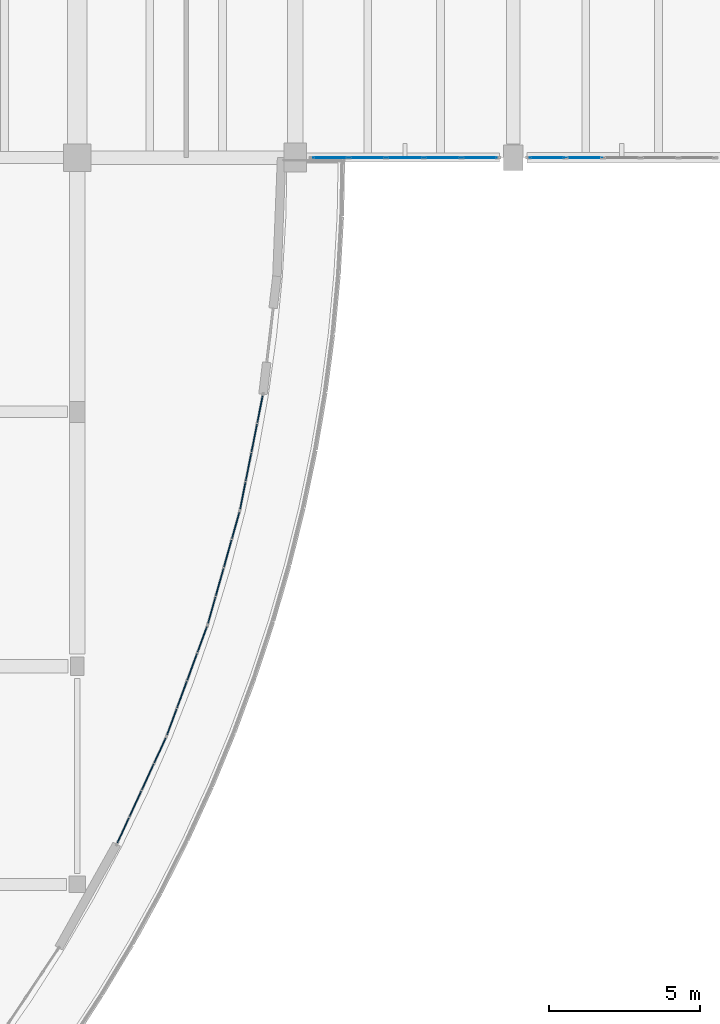
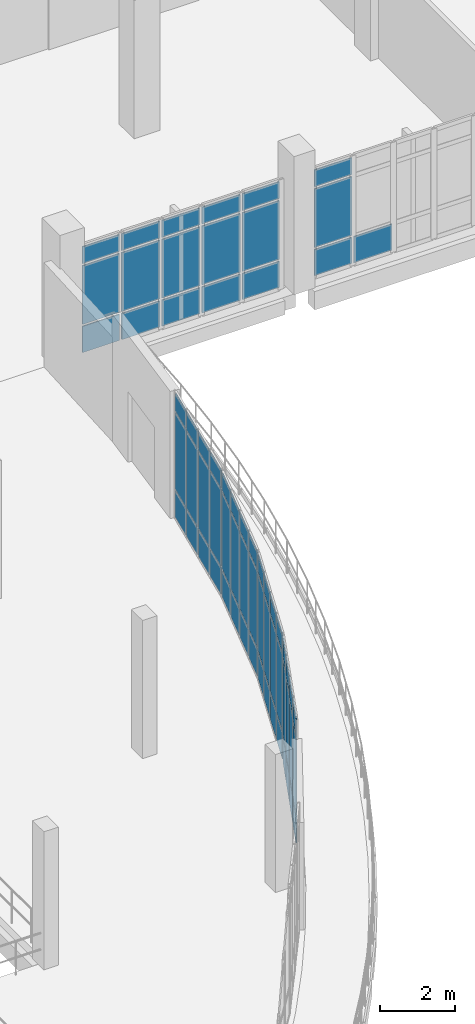
# One storey, part 104 of 134: 67 plates, 6 elements without a shape of their own.
"""IFC4 building model written with IfcOpenShell, lengths in metres."""

from ifc_helpers import new_model, si_unit, direction, frame, origin, origin_2d, place, context, subcontext, project, spatial, rectangle, extrude, material, layer, layer_set, type_object, element, aggregate, save


model = new_model("IFC4")

# Units and contexts
model_context = context("Model", 3, precision=1e-05, world=origin(), true_north=direction((0.0, 1.0)))
body_context = subcontext(model_context, "Body", "Model", "MODEL_VIEW")
ifc_project = project(units=[si_unit("LENGTHUNIT", "METRE"), si_unit("AREAUNIT", "SQUARE_METRE"), si_unit("VOLUMEUNIT", "CUBIC_METRE"), si_unit("PLANEANGLEUNIT", "RADIAN"), si_unit("MASSUNIT", "GRAM", prefix="KILO")], contexts=[model_context])

# Site, building, storey
site_placement = place(None, origin())
site = spatial("IfcSite", under=ifc_project, at=site_placement, CompositionType="ELEMENT")
building_placement = place(site_placement, origin())
building = spatial("IfcBuilding", under=site, at=building_placement, Name="Kalluvel Institute of Natural Sciences", CompositionType="ELEMENT")
storey_placement = place(building_placement, frame((0.0, 0.0, 5.39990234375)))
storey = spatial("IfcBuildingStorey", under=building, at=storey_placement, Name="L01", CompositionType="ELEMENT", Elevation=5.39990234375)

# Curtain wall, plates
ifc_material_1 = material(Name="Aluminium AW-6063 T6", Category="aluminium")
curtain_wall_type_1 = type_object("IfcCurtainWallType", Name="CW-WET-45", PredefinedType="USERDEFINED", material=ifc_material_1)
curtain_wall_1_placement = place(storey_placement, origin())
curtain_wall_1 = element("IfcCurtainWall", 1, at=curtain_wall_1_placement, inside=storey, type_object=curtain_wall_type_1, Name="L01 Gothic lancet curtain wall CWA-L01-X865-Y1028", ObjectType="UNITISED LANCET FACADE", PredefinedType="USERDEFINED")
ifc_material_2 = material(Name="Solar-Control Low-E Laminated Glass", Category="glass")
ifc_layer_1 = layer(ifc_material_2, 0.031982421875)
ifc_layer_set_1 = layer_set([ifc_layer_1], Name="Solar-Control Low-E Laminated Glass")
plate_type_1 = type_object("IfcPlateType", Name="CWP-DGU-32", PredefinedType="CURTAIN_PANEL", material=ifc_layer_set_1)
plate_1_placement = place(storey_placement, frame((87.1611328125, 102.800048828125, 0.065185546875), z_axis=(0.0, 0.0, 1.0), x_axis=(1.0, 0.0, 0.0)))
plate_1 = element("IfcPlate", 2, at=plate_1_placement, type_object=plate_type_1, Name="CW-01 panel 1.1", PredefinedType="CURTAIN_PANEL", context=body_context, shape_type="SweptSolid", body=[
    extrude(rectangle(XDim=1.142578125, YDim=0.031982421875, at=origin_2d()), origin(), (0.0, 0.0, 1.0), 0.8525390625),
])
plate_2_placement = place(storey_placement, frame((87.1611328125, 102.800048828125, 0.982666015625), z_axis=(0.0, 0.0, 1.0), x_axis=(1.0, 0.0, 0.0)))
plate_2 = element("IfcPlate", 3, at=plate_2_placement, type_object=plate_type_1, Name="CW-01 panel 1.2", PredefinedType="CURTAIN_PANEL", context=body_context, shape_type="SweptSolid", body=[
    extrude(rectangle(XDim=1.142578125, YDim=0.031982421875, at=origin_2d()), origin(), (0.0, 0.0, 1.0), 1.9150390625),
])
plate_3_placement = place(storey_placement, frame((87.1611328125, 102.800048828125, 2.96240234375), z_axis=(0.0, 0.0, 1.0), x_axis=(1.0, 0.0, 0.0)))
plate_3 = element("IfcPlate", 4, at=plate_3_placement, type_object=plate_type_1, Name="CW-01 panel 1.3", PredefinedType="CURTAIN_PANEL", context=body_context, shape_type="SweptSolid", body=[
    extrude(rectangle(XDim=1.142578125, YDim=0.031982421875, at=origin_2d()), origin(), (0.0, 0.0, 1.0), 0.552490234375),
])
plate_4_placement = place(storey_placement, frame((88.385009765625, 102.800048828125, 0.065185546875), z_axis=(0.0, 0.0, 1.0), x_axis=(1.0, 0.0, 0.0)))
plate_4 = element("IfcPlate", 5, at=plate_4_placement, type_object=plate_type_1, Name="CW-01 panel 2.1", PredefinedType="CURTAIN_PANEL", context=body_context, shape_type="SweptSolid", body=[
    extrude(rectangle(XDim=1.175048828125, YDim=0.031982421875, at=origin_2d()), origin(), (0.0, 0.0, 1.0), 0.8525390625),
])
plate_5_placement = place(storey_placement, frame((88.385009765625, 102.800048828125, 0.982666015625), z_axis=(0.0, 0.0, 1.0), x_axis=(1.0, 0.0, 0.0)))
plate_5 = element("IfcPlate", 6, at=plate_5_placement, type_object=plate_type_1, Name="CW-01 panel 2.2", PredefinedType="CURTAIN_PANEL", context=body_context, shape_type="SweptSolid", body=[
    extrude(rectangle(XDim=1.175048828125, YDim=0.031982421875, at=origin_2d()), origin(), (0.0, 0.0, 1.0), 1.9150390625),
])
plate_6_placement = place(storey_placement, frame((88.385009765625, 102.800048828125, 2.96240234375), z_axis=(0.0, 0.0, 1.0), x_axis=(1.0, 0.0, 0.0)))
plate_6 = element("IfcPlate", 7, at=plate_6_placement, type_object=plate_type_1, Name="CW-01 panel 2.3", PredefinedType="CURTAIN_PANEL", context=body_context, shape_type="SweptSolid", body=[
    extrude(rectangle(XDim=1.175048828125, YDim=0.031982421875, at=origin_2d()), origin(), (0.0, 0.0, 1.0), 0.552490234375),
])
plate_7_placement = place(storey_placement, frame((89.625, 102.800048828125, 0.065185546875), z_axis=(0.0, 0.0, 1.0), x_axis=(1.0, 0.0, 0.0)))
plate_7 = element("IfcPlate", 8, at=plate_7_placement, type_object=plate_type_1, Name="CW-01 panel 3.1", PredefinedType="CURTAIN_PANEL", context=body_context, shape_type="SweptSolid", body=[
    extrude(rectangle(XDim=1.175048828125, YDim=0.031982421875, at=origin_2d()), origin(), (0.0, 0.0, 1.0), 0.8525390625),
])
plate_8_placement = place(storey_placement, frame((89.625, 102.800048828125, 0.982666015625), z_axis=(0.0, 0.0, 1.0), x_axis=(1.0, 0.0, 0.0)))
plate_8 = element("IfcPlate", 9, at=plate_8_placement, type_object=plate_type_1, Name="CW-01 panel 3.2", PredefinedType="CURTAIN_PANEL", context=body_context, shape_type="SweptSolid", body=[
    extrude(rectangle(XDim=1.175048828125, YDim=0.031982421875, at=origin_2d()), origin(), (0.0, 0.0, 1.0), 1.9150390625),
])
plate_9_placement = place(storey_placement, frame((89.625, 102.800048828125, 2.96240234375), z_axis=(0.0, 0.0, 1.0), x_axis=(1.0, 0.0, 0.0)))
plate_9 = element("IfcPlate", 10, at=plate_9_placement, type_object=plate_type_1, Name="CW-01 panel 3.3", PredefinedType="CURTAIN_PANEL", context=body_context, shape_type="SweptSolid", body=[
    extrude(rectangle(XDim=1.175048828125, YDim=0.031982421875, at=origin_2d()), origin(), (0.0, 0.0, 1.0), 0.552490234375),
])
plate_10_placement = place(storey_placement, frame((90.864990234375, 102.800048828125, 0.065185546875), z_axis=(0.0, 0.0, 1.0), x_axis=(1.0, 0.0, 0.0)))
plate_10 = element("IfcPlate", 11, at=plate_10_placement, type_object=plate_type_1, Name="CW-01 panel 4.1", PredefinedType="CURTAIN_PANEL", context=body_context, shape_type="SweptSolid", body=[
    extrude(rectangle(XDim=1.175048828125, YDim=0.031982421875, at=origin_2d()), origin(), (0.0, 0.0, 1.0), 0.8525390625),
])
plate_11_placement = place(storey_placement, frame((90.864990234375, 102.800048828125, 0.982666015625), z_axis=(0.0, 0.0, 1.0), x_axis=(1.0, 0.0, 0.0)))
plate_11 = element("IfcPlate", 12, at=plate_11_placement, type_object=plate_type_1, Name="CW-01 panel 4.2", PredefinedType="CURTAIN_PANEL", context=body_context, shape_type="SweptSolid", body=[
    extrude(rectangle(XDim=1.175048828125, YDim=0.031982421875, at=origin_2d()), origin(), (0.0, 0.0, 1.0), 1.9150390625),
])
plate_12_placement = place(storey_placement, frame((90.864990234375, 102.800048828125, 2.96240234375), z_axis=(0.0, 0.0, 1.0), x_axis=(1.0, 0.0, 0.0)))
plate_12 = element("IfcPlate", 13, at=plate_12_placement, type_object=plate_type_1, Name="CW-01 panel 4.3", PredefinedType="CURTAIN_PANEL", context=body_context, shape_type="SweptSolid", body=[
    extrude(rectangle(XDim=1.175048828125, YDim=0.031982421875, at=origin_2d()), origin(), (0.0, 0.0, 1.0), 0.552490234375),
])
plate_13_placement = place(storey_placement, frame((92.0888671875, 102.800048828125, 0.065185546875), z_axis=(0.0, 0.0, 1.0), x_axis=(1.0, 0.0, 0.0)))
plate_13 = element("IfcPlate", 14, at=plate_13_placement, type_object=plate_type_1, Name="CW-01 panel 5.1", PredefinedType="CURTAIN_PANEL", context=body_context, shape_type="SweptSolid", body=[
    extrude(rectangle(XDim=1.142578125, YDim=0.031982421875, at=origin_2d()), origin(), (0.0, 0.0, 1.0), 0.8525390625),
])
plate_14_placement = place(storey_placement, frame((92.0888671875, 102.800048828125, 0.982666015625), z_axis=(0.0, 0.0, 1.0), x_axis=(1.0, 0.0, 0.0)))
plate_14 = element("IfcPlate", 15, at=plate_14_placement, type_object=plate_type_1, Name="CW-01 panel 5.2", PredefinedType="CURTAIN_PANEL", context=body_context, shape_type="SweptSolid", body=[
    extrude(rectangle(XDim=1.142578125, YDim=0.031982421875, at=origin_2d()), origin(), (0.0, 0.0, 1.0), 1.9150390625),
])
plate_15_placement = place(storey_placement, frame((92.0888671875, 102.800048828125, 2.96240234375), z_axis=(0.0, 0.0, 1.0), x_axis=(1.0, 0.0, 0.0)))
plate_15 = element("IfcPlate", 16, at=plate_15_placement, type_object=plate_type_1, Name="CW-01 panel 5.3", PredefinedType="CURTAIN_PANEL", context=body_context, shape_type="SweptSolid", body=[
    extrude(rectangle(XDim=1.142578125, YDim=0.031982421875, at=origin_2d()), origin(), (0.0, 0.0, 1.0), 0.552490234375),
])
aggregate(curtain_wall_1, [plate_1, plate_2, plate_3, plate_4, plate_5, plate_6, plate_7, plate_8, plate_9, plate_10, plate_11, plate_12, plate_13, plate_14, plate_15])

curtain_wall_2_placement = place(storey_placement, origin())
curtain_wall_2 = element("IfcCurtainWall", 17, at=curtain_wall_2_placement, inside=storey, type_object=curtain_wall_type_1, Name="L01 Gothic lancet curtain wall CWA-L01-X937-Y1028", ObjectType="UNITISED LANCET FACADE", PredefinedType="USERDEFINED")
plate_16_placement = place(storey_placement, frame((94.313720703125, 102.800048828125, 0.065185546875), z_axis=(0.0, 0.0, 1.0), x_axis=(1.0, 0.0, 0.0)))
plate_16 = element("IfcPlate", 18, at=plate_16_placement, type_object=plate_type_1, Name="CW-01 panel 1.1", PredefinedType="CURTAIN_PANEL", context=body_context, shape_type="SweptSolid", body=[
    extrude(rectangle(XDim=1.1474609375, YDim=0.031982421875, at=origin_2d()), origin(), (0.0, 0.0, 1.0), 0.8525390625),
])
plate_17_placement = place(storey_placement, frame((94.313720703125, 102.800048828125, 0.982666015625), z_axis=(0.0, 0.0, 1.0), x_axis=(1.0, 0.0, 0.0)))
plate_17 = element("IfcPlate", 19, at=plate_17_placement, type_object=plate_type_1, Name="CW-01 panel 1.2", PredefinedType="CURTAIN_PANEL", context=body_context, shape_type="SweptSolid", body=[
    extrude(rectangle(XDim=1.1474609375, YDim=0.031982421875, at=origin_2d()), origin(), (0.0, 0.0, 1.0), 1.9150390625),
])
plate_18_placement = place(storey_placement, frame((94.313720703125, 102.800048828125, 2.96240234375), z_axis=(0.0, 0.0, 1.0), x_axis=(1.0, 0.0, 0.0)))
plate_18 = element("IfcPlate", 20, at=plate_18_placement, type_object=plate_type_1, Name="CW-01 panel 1.3", PredefinedType="CURTAIN_PANEL", context=body_context, shape_type="SweptSolid", body=[
    extrude(rectangle(XDim=1.1474609375, YDim=0.031982421875, at=origin_2d()), origin(), (0.0, 0.0, 1.0), 0.552490234375),
])
plate_19_placement = place(storey_placement, frame((95.54248046875, 102.800048828125, 0.065185546875), z_axis=(0.0, 0.0, 1.0), x_axis=(1.0, 0.0, 0.0)))
plate_19 = element("IfcPlate", 21, at=plate_19_placement, type_object=plate_type_1, Name="CW-01 panel 2.1", PredefinedType="CURTAIN_PANEL", context=body_context, shape_type="SweptSolid", body=[
    extrude(rectangle(XDim=1.179931640625, YDim=0.031982421875, at=origin_2d()), origin(), (0.0, 0.0, 1.0), 0.8525390625),
])
aggregate(curtain_wall_2, [plate_16, plate_17, plate_18, plate_19])

curtain_wall_type_2 = type_object("IfcCurtainWallType", Name="CW-ATR-ARC", PredefinedType="USERDEFINED", material=ifc_material_1)
curtain_wall_3_placement = place(storey_placement, origin())
curtain_wall_3 = element("IfcCurtainWall", 22, at=curtain_wall_3_placement, inside=storey, type_object=curtain_wall_type_2, Name="L01 Gothic lancet curtain wall CWA-L01-X801-Y801", ObjectType="UNITISED LANCET FACADE", PredefinedType="USERDEFINED")
ifc_layer_2 = layer(ifc_material_2, 0.035888671875)
ifc_layer_set_2 = layer_set([ifc_layer_2], Name="Solar-Control Low-E Laminated Glass")
plate_type_2 = type_object("IfcPlateType", Name="CWP-DGU-36", PredefinedType="CURTAIN_PANEL", material=ifc_layer_set_2)
plate_20_placement = place(storey_placement, frame((80.3173828125, 80.58203125, 0.06005859375), z_axis=(0.0, 0.0, 1.0), x_axis=(0.418657153068, 0.908144365277, 0.0)))
plate_20 = element("IfcPlate", 23, at=plate_20_placement, type_object=plate_type_2, Name="CW-05 panel 1.1", PredefinedType="CURTAIN_PANEL", context=body_context, shape_type="SweptSolid", body=[
    extrude(rectangle(XDim=0.890625, YDim=0.035888671875, at=origin_2d()), origin(), (0.0, 0.0, 1.0), 0.860107421875),
])
plate_21_placement = place(storey_placement, frame((80.3173828125, 80.58203125, 0.97998046875), z_axis=(0.0, 0.0, 1.0), x_axis=(0.418657153068, 0.908144365277, 0.0)))
plate_21 = element("IfcPlate", 24, at=plate_21_placement, type_object=plate_type_2, Name="CW-05 panel 1.2", PredefinedType="CURTAIN_PANEL", context=body_context, shape_type="SweptSolid", body=[
    extrude(rectangle(XDim=0.890625, YDim=0.035888671875, at=origin_2d()), origin(), (0.0, 0.0, 1.0), 2.489990234375),
])
plate_22_placement = place(storey_placement, frame((80.3173828125, 80.58203125, 3.530029296875), z_axis=(0.0, 0.0, 1.0), x_axis=(0.418657153068, 0.908144365277, 0.0)))
plate_22 = element("IfcPlate", 25, at=plate_22_placement, type_object=plate_type_2, Name="CW-05 panel 1.3", PredefinedType="CURTAIN_PANEL", context=body_context, shape_type="SweptSolid", body=[
    extrude(rectangle(XDim=0.890625, YDim=0.035888671875, at=origin_2d()), origin(), (0.0, 0.0, 1.0), 0.56005859375),
])
plate_23_placement = place(storey_placement, frame((80.721435546875, 81.458984375, 0.06005859375), z_axis=(0.0, 0.0, 1.0), x_axis=(0.418657153068, 0.908144365277, 0.0)))
plate_23 = element("IfcPlate", 26, at=plate_23_placement, type_object=plate_type_2, Name="CW-05 panel 2.1", PredefinedType="CURTAIN_PANEL", context=body_context, shape_type="SweptSolid", body=[
    extrude(rectangle(XDim=0.92041015625, YDim=0.035888671875, at=origin_2d()), origin(), (0.0, 0.0, 1.0), 0.860107421875),
])
plate_24_placement = place(storey_placement, frame((80.721435546875, 81.458984375, 0.97998046875), z_axis=(0.0, 0.0, 1.0), x_axis=(0.418657153068, 0.908144365277, 0.0)))
plate_24 = element("IfcPlate", 27, at=plate_24_placement, type_object=plate_type_2, Name="CW-05 panel 2.2", PredefinedType="CURTAIN_PANEL", context=body_context, shape_type="SweptSolid", body=[
    extrude(rectangle(XDim=0.92041015625, YDim=0.035888671875, at=origin_2d()), origin(), (0.0, 0.0, 1.0), 2.489990234375),
])
plate_25_placement = place(storey_placement, frame((80.721435546875, 81.458984375, 3.530029296875), z_axis=(0.0, 0.0, 1.0), x_axis=(0.418657153068, 0.908144365277, 0.0)))
plate_25 = element("IfcPlate", 28, at=plate_25_placement, type_object=plate_type_2, Name="CW-05 panel 2.3", PredefinedType="CURTAIN_PANEL", context=body_context, shape_type="SweptSolid", body=[
    extrude(rectangle(XDim=0.92041015625, YDim=0.035888671875, at=origin_2d()), origin(), (0.0, 0.0, 1.0), 0.56005859375),
])
plate_26_placement = place(storey_placement, frame((81.132080078125, 82.349365234375, 0.06005859375), z_axis=(0.0, 0.0, 1.0), x_axis=(0.418657153068, 0.908144365277, 0.0)))
plate_26 = element("IfcPlate", 29, at=plate_26_placement, type_object=plate_type_2, Name="CW-05 panel 3.1", PredefinedType="CURTAIN_PANEL", context=body_context, shape_type="SweptSolid", body=[
    extrude(rectangle(XDim=0.92041015625, YDim=0.035888671875, at=origin_2d()), origin(), (0.0, 0.0, 1.0), 0.860107421875),
])
plate_27_placement = place(storey_placement, frame((81.132080078125, 82.349365234375, 0.97998046875), z_axis=(0.0, 0.0, 1.0), x_axis=(0.418657153068, 0.908144365277, 0.0)))
plate_27 = element("IfcPlate", 30, at=plate_27_placement, type_object=plate_type_2, Name="CW-05 panel 3.2", PredefinedType="CURTAIN_PANEL", context=body_context, shape_type="SweptSolid", body=[
    extrude(rectangle(XDim=0.92041015625, YDim=0.035888671875, at=origin_2d()), origin(), (0.0, 0.0, 1.0), 2.489990234375),
])
plate_28_placement = place(storey_placement, frame((81.132080078125, 82.349365234375, 3.530029296875), z_axis=(0.0, 0.0, 1.0), x_axis=(0.418657153068, 0.908144365277, 0.0)))
plate_28 = element("IfcPlate", 31, at=plate_28_placement, type_object=plate_type_2, Name="CW-05 panel 3.3", PredefinedType="CURTAIN_PANEL", context=body_context, shape_type="SweptSolid", body=[
    extrude(rectangle(XDim=0.92041015625, YDim=0.035888671875, at=origin_2d()), origin(), (0.0, 0.0, 1.0), 0.56005859375),
])
plate_29_placement = place(storey_placement, frame((81.536376953125, 83.22607421875, 0.06005859375), z_axis=(0.0, 0.0, 1.0), x_axis=(0.418657153068, 0.908144365277, 0.0)))
plate_29 = element("IfcPlate", 32, at=plate_29_placement, type_object=plate_type_2, Name="CW-05 panel 4.1", PredefinedType="CURTAIN_PANEL", context=body_context, shape_type="SweptSolid", body=[
    extrude(rectangle(XDim=0.890625, YDim=0.035888671875, at=origin_2d()), origin(), (0.0, 0.0, 1.0), 0.860107421875),
])
plate_30_placement = place(storey_placement, frame((81.536376953125, 83.22607421875, 0.97998046875), z_axis=(0.0, 0.0, 1.0), x_axis=(0.418657153068, 0.908144365277, 0.0)))
plate_30 = element("IfcPlate", 33, at=plate_30_placement, type_object=plate_type_2, Name="CW-05 panel 4.2", PredefinedType="CURTAIN_PANEL", context=body_context, shape_type="SweptSolid", body=[
    extrude(rectangle(XDim=0.890625, YDim=0.035888671875, at=origin_2d()), origin(), (0.0, 0.0, 1.0), 2.489990234375),
])
plate_31_placement = place(storey_placement, frame((81.536376953125, 83.22607421875, 3.530029296875), z_axis=(0.0, 0.0, 1.0), x_axis=(0.418657153068, 0.908144365277, 0.0)))
plate_31 = element("IfcPlate", 34, at=plate_31_placement, type_object=plate_type_2, Name="CW-05 panel 4.3", PredefinedType="CURTAIN_PANEL", context=body_context, shape_type="SweptSolid", body=[
    extrude(rectangle(XDim=0.890625, YDim=0.035888671875, at=origin_2d()), origin(), (0.0, 0.0, 1.0), 0.56005859375),
])
aggregate(curtain_wall_3, [plate_20, plate_21, plate_22, plate_23, plate_24, plate_25, plate_26, plate_27, plate_28, plate_29, plate_30, plate_31])

curtain_wall_4_placement = place(storey_placement, origin())
curtain_wall_4 = element("IfcCurtainWall", 35, at=curtain_wall_4_placement, inside=storey, type_object=curtain_wall_type_2, Name="L01 Gothic lancet curtain wall CWA-L01-X817-Y837", ObjectType="UNITISED LANCET FACADE", PredefinedType="USERDEFINED")
plate_32_placement = place(storey_placement, frame((81.922607421875, 84.158935546875, 0.06005859375), z_axis=(0.0, 0.0, 1.0), x_axis=(0.346122419058, 0.938189357766, 0.0)))
plate_32 = element("IfcPlate", 36, at=plate_32_placement, type_object=plate_type_2, Name="CW-05 panel 1.1", PredefinedType="CURTAIN_PANEL", context=body_context, shape_type="SweptSolid", body=[
    extrude(rectangle(XDim=0.890625, YDim=0.035888671875, at=origin_2d()), origin(), (0.0, 0.0, 1.0), 0.860107421875),
])
plate_33_placement = place(storey_placement, frame((81.922607421875, 84.158935546875, 0.97998046875), z_axis=(0.0, 0.0, 1.0), x_axis=(0.346122419058, 0.938189357766, 0.0)))
plate_33 = element("IfcPlate", 37, at=plate_33_placement, type_object=plate_type_2, Name="CW-05 panel 1.2", PredefinedType="CURTAIN_PANEL", context=body_context, shape_type="SweptSolid", body=[
    extrude(rectangle(XDim=0.890625, YDim=0.035888671875, at=origin_2d()), origin(), (0.0, 0.0, 1.0), 2.489990234375),
])
plate_34_placement = place(storey_placement, frame((81.922607421875, 84.158935546875, 3.530029296875), z_axis=(0.0, 0.0, 1.0), x_axis=(0.346122419058, 0.938189357766, 0.0)))
plate_34 = element("IfcPlate", 38, at=plate_34_placement, type_object=plate_type_2, Name="CW-05 panel 1.3", PredefinedType="CURTAIN_PANEL", context=body_context, shape_type="SweptSolid", body=[
    extrude(rectangle(XDim=0.890625, YDim=0.035888671875, at=origin_2d()), origin(), (0.0, 0.0, 1.0), 0.56005859375),
])
plate_35_placement = place(storey_placement, frame((82.2568359375, 85.06494140625, 0.06005859375), z_axis=(0.0, 0.0, 1.0), x_axis=(0.346122419058, 0.938189357766, 0.0)))
plate_35 = element("IfcPlate", 39, at=plate_35_placement, type_object=plate_type_2, Name="CW-05 panel 2.1", PredefinedType="CURTAIN_PANEL", context=body_context, shape_type="SweptSolid", body=[
    extrude(rectangle(XDim=0.92041015625, YDim=0.035888671875, at=origin_2d()), origin(), (0.0, 0.0, 1.0), 0.860107421875),
])
plate_36_placement = place(storey_placement, frame((82.2568359375, 85.06494140625, 0.97998046875), z_axis=(0.0, 0.0, 1.0), x_axis=(0.346122419058, 0.938189357766, 0.0)))
plate_36 = element("IfcPlate", 40, at=plate_36_placement, type_object=plate_type_2, Name="CW-05 panel 2.2", PredefinedType="CURTAIN_PANEL", context=body_context, shape_type="SweptSolid", body=[
    extrude(rectangle(XDim=0.92041015625, YDim=0.035888671875, at=origin_2d()), origin(), (0.0, 0.0, 1.0), 2.489990234375),
])
plate_37_placement = place(storey_placement, frame((82.2568359375, 85.06494140625, 3.530029296875), z_axis=(0.0, 0.0, 1.0), x_axis=(0.346122419058, 0.938189357766, 0.0)))
plate_37 = element("IfcPlate", 41, at=plate_37_placement, type_object=plate_type_2, Name="CW-05 panel 2.3", PredefinedType="CURTAIN_PANEL", context=body_context, shape_type="SweptSolid", body=[
    extrude(rectangle(XDim=0.92041015625, YDim=0.035888671875, at=origin_2d()), origin(), (0.0, 0.0, 1.0), 0.56005859375),
])
plate_38_placement = place(storey_placement, frame((82.59619140625, 85.98486328125, 0.06005859375), z_axis=(0.0, 0.0, 1.0), x_axis=(0.346122419058, 0.938189357766, 0.0)))
plate_38 = element("IfcPlate", 42, at=plate_38_placement, type_object=plate_type_2, Name="CW-05 panel 3.1", PredefinedType="CURTAIN_PANEL", context=body_context, shape_type="SweptSolid", body=[
    extrude(rectangle(XDim=0.92041015625, YDim=0.035888671875, at=origin_2d()), origin(), (0.0, 0.0, 1.0), 0.860107421875),
])
plate_39_placement = place(storey_placement, frame((82.59619140625, 85.98486328125, 0.97998046875), z_axis=(0.0, 0.0, 1.0), x_axis=(0.346122419058, 0.938189357766, 0.0)))
plate_39 = element("IfcPlate", 43, at=plate_39_placement, type_object=plate_type_2, Name="CW-05 panel 3.2", PredefinedType="CURTAIN_PANEL", context=body_context, shape_type="SweptSolid", body=[
    extrude(rectangle(XDim=0.92041015625, YDim=0.035888671875, at=origin_2d()), origin(), (0.0, 0.0, 1.0), 2.489990234375),
])
plate_40_placement = place(storey_placement, frame((82.59619140625, 85.98486328125, 3.530029296875), z_axis=(0.0, 0.0, 1.0), x_axis=(0.346122419058, 0.938189357766, 0.0)))
plate_40 = element("IfcPlate", 44, at=plate_40_placement, type_object=plate_type_2, Name="CW-05 panel 3.3", PredefinedType="CURTAIN_PANEL", context=body_context, shape_type="SweptSolid", body=[
    extrude(rectangle(XDim=0.92041015625, YDim=0.035888671875, at=origin_2d()), origin(), (0.0, 0.0, 1.0), 0.56005859375),
])
plate_41_placement = place(storey_placement, frame((82.930419921875, 86.890625, 0.06005859375), z_axis=(0.0, 0.0, 1.0), x_axis=(0.346122419058, 0.938189357766, 0.0)))
plate_41 = element("IfcPlate", 45, at=plate_41_placement, type_object=plate_type_2, Name="CW-05 panel 4.1", PredefinedType="CURTAIN_PANEL", context=body_context, shape_type="SweptSolid", body=[
    extrude(rectangle(XDim=0.890625, YDim=0.035888671875, at=origin_2d()), origin(), (0.0, 0.0, 1.0), 0.860107421875),
])
plate_42_placement = place(storey_placement, frame((82.930419921875, 86.890625, 0.97998046875), z_axis=(0.0, 0.0, 1.0), x_axis=(0.346122419058, 0.938189357766, 0.0)))
plate_42 = element("IfcPlate", 46, at=plate_42_placement, type_object=plate_type_2, Name="CW-05 panel 4.2", PredefinedType="CURTAIN_PANEL", context=body_context, shape_type="SweptSolid", body=[
    extrude(rectangle(XDim=0.890625, YDim=0.035888671875, at=origin_2d()), origin(), (0.0, 0.0, 1.0), 2.489990234375),
])
plate_43_placement = place(storey_placement, frame((82.930419921875, 86.890625, 3.530029296875), z_axis=(0.0, 0.0, 1.0), x_axis=(0.346122419058, 0.938189357766, 0.0)))
plate_43 = element("IfcPlate", 47, at=plate_43_placement, type_object=plate_type_2, Name="CW-05 panel 4.3", PredefinedType="CURTAIN_PANEL", context=body_context, shape_type="SweptSolid", body=[
    extrude(rectangle(XDim=0.890625, YDim=0.035888671875, at=origin_2d()), origin(), (0.0, 0.0, 1.0), 0.56005859375),
])
aggregate(curtain_wall_4, [plate_32, plate_33, plate_34, plate_35, plate_36, plate_37, plate_38, plate_39, plate_40, plate_41, plate_42, plate_43])

curtain_wall_5_placement = place(storey_placement, origin())
curtain_wall_5 = element("IfcCurtainWall", 48, at=curtain_wall_5_placement, inside=storey, type_object=curtain_wall_type_2, Name="L01 Gothic lancet curtain wall CWA-L01-X831-Y874", ObjectType="UNITISED LANCET FACADE", PredefinedType="USERDEFINED")
plate_44_placement = place(storey_placement, frame((83.242431640625, 87.850830078125, 0.06005859375), z_axis=(0.0, 0.0, 1.0), x_axis=(0.271439574924, 0.962455483212, 0.0)))
plate_44 = element("IfcPlate", 49, at=plate_44_placement, type_object=plate_type_2, Name="CW-05 panel 1.1", PredefinedType="CURTAIN_PANEL", context=body_context, shape_type="SweptSolid", body=[
    extrude(rectangle(XDim=0.890625, YDim=0.035888671875, at=origin_2d()), origin(), (0.0, 0.0, 1.0), 0.860107421875),
])
plate_45_placement = place(storey_placement, frame((83.242431640625, 87.850830078125, 0.97998046875), z_axis=(0.0, 0.0, 1.0), x_axis=(0.271439574924, 0.962455483212, 0.0)))
plate_45 = element("IfcPlate", 50, at=plate_45_placement, type_object=plate_type_2, Name="CW-05 panel 1.2", PredefinedType="CURTAIN_PANEL", context=body_context, shape_type="SweptSolid", body=[
    extrude(rectangle(XDim=0.890625, YDim=0.035888671875, at=origin_2d()), origin(), (0.0, 0.0, 1.0), 2.489990234375),
])
plate_46_placement = place(storey_placement, frame((83.242431640625, 87.850830078125, 3.530029296875), z_axis=(0.0, 0.0, 1.0), x_axis=(0.271439574924, 0.962455483212, 0.0)))
plate_46 = element("IfcPlate", 51, at=plate_46_placement, type_object=plate_type_2, Name="CW-05 panel 1.3", PredefinedType="CURTAIN_PANEL", context=body_context, shape_type="SweptSolid", body=[
    extrude(rectangle(XDim=0.890625, YDim=0.035888671875, at=origin_2d()), origin(), (0.0, 0.0, 1.0), 0.56005859375),
])
plate_47_placement = place(storey_placement, frame((83.504638671875, 88.780029296875, 0.06005859375), z_axis=(0.0, 0.0, 1.0), x_axis=(0.271439574924, 0.962455483212, 0.0)))
plate_47 = element("IfcPlate", 52, at=plate_47_placement, type_object=plate_type_2, Name="CW-05 panel 2.1", PredefinedType="CURTAIN_PANEL", context=body_context, shape_type="SweptSolid", body=[
    extrude(rectangle(XDim=0.92041015625, YDim=0.035888671875, at=origin_2d()), origin(), (0.0, 0.0, 1.0), 0.860107421875),
])
plate_48_placement = place(storey_placement, frame((83.504638671875, 88.780029296875, 0.97998046875), z_axis=(0.0, 0.0, 1.0), x_axis=(0.271439574924, 0.962455483212, 0.0)))
plate_48 = element("IfcPlate", 53, at=plate_48_placement, type_object=plate_type_2, Name="CW-05 panel 2.2", PredefinedType="CURTAIN_PANEL", context=body_context, shape_type="SweptSolid", body=[
    extrude(rectangle(XDim=0.92041015625, YDim=0.035888671875, at=origin_2d()), origin(), (0.0, 0.0, 1.0), 2.489990234375),
])
plate_49_placement = place(storey_placement, frame((83.504638671875, 88.780029296875, 3.530029296875), z_axis=(0.0, 0.0, 1.0), x_axis=(0.271439574924, 0.962455483212, 0.0)))
plate_49 = element("IfcPlate", 54, at=plate_49_placement, type_object=plate_type_2, Name="CW-05 panel 2.3", PredefinedType="CURTAIN_PANEL", context=body_context, shape_type="SweptSolid", body=[
    extrude(rectangle(XDim=0.92041015625, YDim=0.035888671875, at=origin_2d()), origin(), (0.0, 0.0, 1.0), 0.56005859375),
])
plate_50_placement = place(storey_placement, frame((83.770751953125, 89.723876953125, 0.06005859375), z_axis=(0.0, 0.0, 1.0), x_axis=(0.271439574924, 0.962455483212, 0.0)))
plate_50 = element("IfcPlate", 55, at=plate_50_placement, type_object=plate_type_2, Name="CW-05 panel 3.1", PredefinedType="CURTAIN_PANEL", context=body_context, shape_type="SweptSolid", body=[
    extrude(rectangle(XDim=0.92041015625, YDim=0.035888671875, at=origin_2d()), origin(), (0.0, 0.0, 1.0), 0.860107421875),
])
plate_51_placement = place(storey_placement, frame((83.770751953125, 89.723876953125, 0.97998046875), z_axis=(0.0, 0.0, 1.0), x_axis=(0.271439574924, 0.962455483212, 0.0)))
plate_51 = element("IfcPlate", 56, at=plate_51_placement, type_object=plate_type_2, Name="CW-05 panel 3.2", PredefinedType="CURTAIN_PANEL", context=body_context, shape_type="SweptSolid", body=[
    extrude(rectangle(XDim=0.92041015625, YDim=0.035888671875, at=origin_2d()), origin(), (0.0, 0.0, 1.0), 2.489990234375),
])
plate_52_placement = place(storey_placement, frame((83.770751953125, 89.723876953125, 3.530029296875), z_axis=(0.0, 0.0, 1.0), x_axis=(0.271439574924, 0.962455483212, 0.0)))
plate_52 = element("IfcPlate", 57, at=plate_52_placement, type_object=plate_type_2, Name="CW-05 panel 3.3", PredefinedType="CURTAIN_PANEL", context=body_context, shape_type="SweptSolid", body=[
    extrude(rectangle(XDim=0.92041015625, YDim=0.035888671875, at=origin_2d()), origin(), (0.0, 0.0, 1.0), 0.56005859375),
])
plate_53_placement = place(storey_placement, frame((84.03271484375, 90.653076171875, 0.06005859375), z_axis=(0.0, 0.0, 1.0), x_axis=(0.271439574924, 0.962455483212, 0.0)))
plate_53 = element("IfcPlate", 58, at=plate_53_placement, type_object=plate_type_2, Name="CW-05 panel 4.1", PredefinedType="CURTAIN_PANEL", context=body_context, shape_type="SweptSolid", body=[
    extrude(rectangle(XDim=0.890625, YDim=0.035888671875, at=origin_2d()), origin(), (0.0, 0.0, 1.0), 0.860107421875),
])
plate_54_placement = place(storey_placement, frame((84.03271484375, 90.653076171875, 0.97998046875), z_axis=(0.0, 0.0, 1.0), x_axis=(0.271439574924, 0.962455483212, 0.0)))
plate_54 = element("IfcPlate", 59, at=plate_54_placement, type_object=plate_type_2, Name="CW-05 panel 4.2", PredefinedType="CURTAIN_PANEL", context=body_context, shape_type="SweptSolid", body=[
    extrude(rectangle(XDim=0.890625, YDim=0.035888671875, at=origin_2d()), origin(), (0.0, 0.0, 1.0), 2.489990234375),
])
plate_55_placement = place(storey_placement, frame((84.03271484375, 90.653076171875, 3.530029296875), z_axis=(0.0, 0.0, 1.0), x_axis=(0.271439574924, 0.962455483212, 0.0)))
plate_55 = element("IfcPlate", 60, at=plate_55_placement, type_object=plate_type_2, Name="CW-05 panel 4.3", PredefinedType="CURTAIN_PANEL", context=body_context, shape_type="SweptSolid", body=[
    extrude(rectangle(XDim=0.890625, YDim=0.035888671875, at=origin_2d()), origin(), (0.0, 0.0, 1.0), 0.56005859375),
])
aggregate(curtain_wall_5, [plate_44, plate_45, plate_46, plate_47, plate_48, plate_49, plate_50, plate_51, plate_52, plate_53, plate_54, plate_55])

curtain_wall_6_placement = place(storey_placement, origin())
curtain_wall_6 = element("IfcCurtainWall", 61, at=curtain_wall_6_placement, inside=storey, type_object=curtain_wall_type_2, Name="L01 Gothic lancet curtain wall CWA-L01-X842-Y911", ObjectType="UNITISED LANCET FACADE", PredefinedType="USERDEFINED")
plate_56_placement = place(storey_placement, frame((84.2685546875, 91.635009765625, 0.06005859375), z_axis=(0.0, 0.0, 1.0), x_axis=(0.195076537251, 0.980788022263, 0.0)))
plate_56 = element("IfcPlate", 62, at=plate_56_placement, type_object=plate_type_2, Name="CW-05 panel 1.1", PredefinedType="CURTAIN_PANEL", context=body_context, shape_type="SweptSolid", body=[
    extrude(rectangle(XDim=0.890625, YDim=0.035888671875, at=origin_2d()), origin(), (0.0, 0.0, 1.0), 0.860107421875),
])
plate_57_placement = place(storey_placement, frame((84.2685546875, 91.635009765625, 0.97998046875), z_axis=(0.0, 0.0, 1.0), x_axis=(0.195076537251, 0.980788022263, 0.0)))
plate_57 = element("IfcPlate", 63, at=plate_57_placement, type_object=plate_type_2, Name="CW-05 panel 1.2", PredefinedType="CURTAIN_PANEL", context=body_context, shape_type="SweptSolid", body=[
    extrude(rectangle(XDim=0.890625, YDim=0.035888671875, at=origin_2d()), origin(), (0.0, 0.0, 1.0), 2.489990234375),
])
plate_58_placement = place(storey_placement, frame((84.2685546875, 91.635009765625, 3.530029296875), z_axis=(0.0, 0.0, 1.0), x_axis=(0.195076537251, 0.980788022263, 0.0)))
plate_58 = element("IfcPlate", 64, at=plate_58_placement, type_object=plate_type_2, Name="CW-05 panel 1.3", PredefinedType="CURTAIN_PANEL", context=body_context, shape_type="SweptSolid", body=[
    extrude(rectangle(XDim=0.890625, YDim=0.035888671875, at=origin_2d()), origin(), (0.0, 0.0, 1.0), 0.56005859375),
])
plate_59_placement = place(storey_placement, frame((84.456787109375, 92.58203125, 0.06005859375), z_axis=(0.0, 0.0, 1.0), x_axis=(0.195076537251, 0.980788022263, 0.0)))
plate_59 = element("IfcPlate", 65, at=plate_59_placement, type_object=plate_type_2, Name="CW-05 panel 2.1", PredefinedType="CURTAIN_PANEL", context=body_context, shape_type="SweptSolid", body=[
    extrude(rectangle(XDim=0.92041015625, YDim=0.035888671875, at=origin_2d()), origin(), (0.0, 0.0, 1.0), 0.860107421875),
])
plate_60_placement = place(storey_placement, frame((84.456787109375, 92.58203125, 0.97998046875), z_axis=(0.0, 0.0, 1.0), x_axis=(0.195076537251, 0.980788022263, 0.0)))
plate_60 = element("IfcPlate", 66, at=plate_60_placement, type_object=plate_type_2, Name="CW-05 panel 2.2", PredefinedType="CURTAIN_PANEL", context=body_context, shape_type="SweptSolid", body=[
    extrude(rectangle(XDim=0.92041015625, YDim=0.035888671875, at=origin_2d()), origin(), (0.0, 0.0, 1.0), 2.489990234375),
])
plate_61_placement = place(storey_placement, frame((84.456787109375, 92.58203125, 3.530029296875), z_axis=(0.0, 0.0, 1.0), x_axis=(0.195076537251, 0.980788022263, 0.0)))
plate_61 = element("IfcPlate", 67, at=plate_61_placement, type_object=plate_type_2, Name="CW-05 panel 2.3", PredefinedType="CURTAIN_PANEL", context=body_context, shape_type="SweptSolid", body=[
    extrude(rectangle(XDim=0.92041015625, YDim=0.035888671875, at=origin_2d()), origin(), (0.0, 0.0, 1.0), 0.56005859375),
])
plate_62_placement = place(storey_placement, frame((84.648193359375, 93.543701171875, 0.06005859375), z_axis=(0.0, 0.0, 1.0), x_axis=(0.195076537251, 0.980788022263, 0.0)))
plate_62 = element("IfcPlate", 68, at=plate_62_placement, type_object=plate_type_2, Name="CW-05 panel 3.1", PredefinedType="CURTAIN_PANEL", context=body_context, shape_type="SweptSolid", body=[
    extrude(rectangle(XDim=0.92041015625, YDim=0.035888671875, at=origin_2d()), origin(), (0.0, 0.0, 1.0), 0.860107421875),
])
plate_63_placement = place(storey_placement, frame((84.648193359375, 93.543701171875, 0.97998046875), z_axis=(0.0, 0.0, 1.0), x_axis=(0.195076537251, 0.980788022263, 0.0)))
plate_63 = element("IfcPlate", 69, at=plate_63_placement, type_object=plate_type_2, Name="CW-05 panel 3.2", PredefinedType="CURTAIN_PANEL", context=body_context, shape_type="SweptSolid", body=[
    extrude(rectangle(XDim=0.92041015625, YDim=0.035888671875, at=origin_2d()), origin(), (0.0, 0.0, 1.0), 2.489990234375),
])
plate_64_placement = place(storey_placement, frame((84.648193359375, 93.543701171875, 3.530029296875), z_axis=(0.0, 0.0, 1.0), x_axis=(0.195076537251, 0.980788022263, 0.0)))
plate_64 = element("IfcPlate", 70, at=plate_64_placement, type_object=plate_type_2, Name="CW-05 panel 3.3", PredefinedType="CURTAIN_PANEL", context=body_context, shape_type="SweptSolid", body=[
    extrude(rectangle(XDim=0.92041015625, YDim=0.035888671875, at=origin_2d()), origin(), (0.0, 0.0, 1.0), 0.56005859375),
])
plate_65_placement = place(storey_placement, frame((84.83642578125, 94.490478515625, 0.06005859375), z_axis=(0.0, 0.0, 1.0), x_axis=(0.195076537251, 0.980788022263, 0.0)))
plate_65 = element("IfcPlate", 71, at=plate_65_placement, type_object=plate_type_2, Name="CW-05 panel 4.1", PredefinedType="CURTAIN_PANEL", context=body_context, shape_type="SweptSolid", body=[
    extrude(rectangle(XDim=0.890625, YDim=0.035888671875, at=origin_2d()), origin(), (0.0, 0.0, 1.0), 0.860107421875),
])
plate_66_placement = place(storey_placement, frame((84.83642578125, 94.490478515625, 0.97998046875), z_axis=(0.0, 0.0, 1.0), x_axis=(0.195076537251, 0.980788022263, 0.0)))
plate_66 = element("IfcPlate", 72, at=plate_66_placement, type_object=plate_type_2, Name="CW-05 panel 4.2", PredefinedType="CURTAIN_PANEL", context=body_context, shape_type="SweptSolid", body=[
    extrude(rectangle(XDim=0.890625, YDim=0.035888671875, at=origin_2d()), origin(), (0.0, 0.0, 1.0), 2.489990234375),
])
plate_67_placement = place(storey_placement, frame((84.83642578125, 94.490478515625, 3.530029296875), z_axis=(0.0, 0.0, 1.0), x_axis=(0.195076537251, 0.980788022263, 0.0)))
plate_67 = element("IfcPlate", 73, at=plate_67_placement, type_object=plate_type_2, Name="CW-05 panel 4.3", PredefinedType="CURTAIN_PANEL", context=body_context, shape_type="SweptSolid", body=[
    extrude(rectangle(XDim=0.890625, YDim=0.035888671875, at=origin_2d()), origin(), (0.0, 0.0, 1.0), 0.56005859375),
])
aggregate(curtain_wall_6, [plate_56, plate_57, plate_58, plate_59, plate_60, plate_61, plate_62, plate_63, plate_64, plate_65, plate_66, plate_67])

save(model, "model.ifc")
